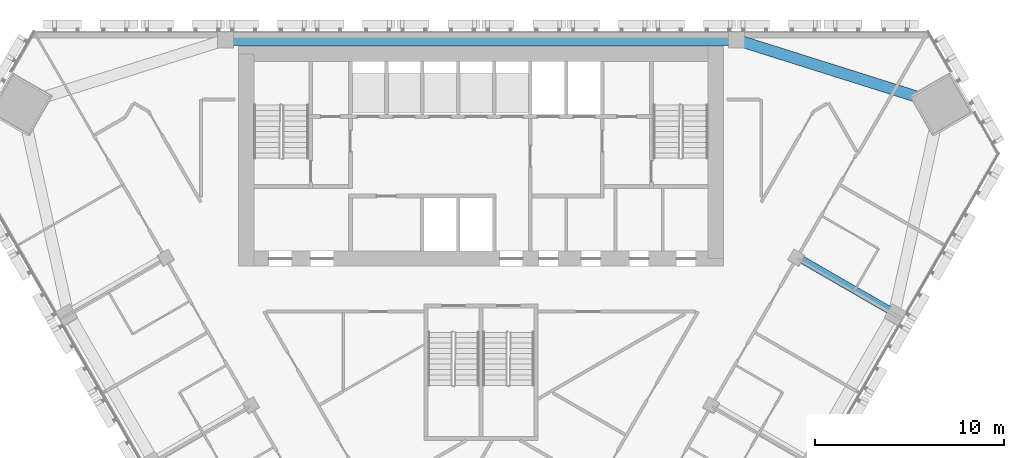
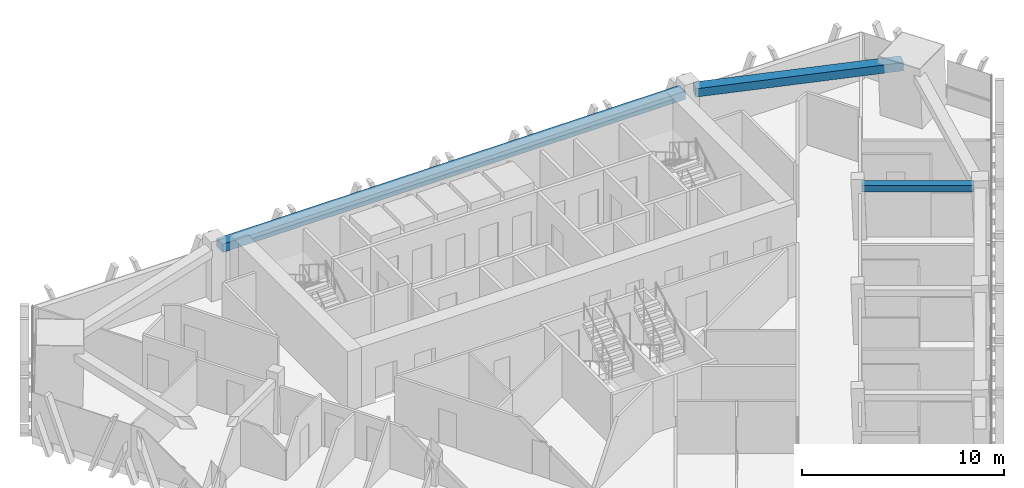
# One storey, part 6 of 16: 3 beams.
"""IFC4 building model written with IfcOpenShell, lengths in metres."""

from ifc_helpers import new_model, si_unit, direction, frame, origin, origin_2d, place, context, subcontext, project, spatial, rectangle, extrude, material, material_profile, profile_set, type_object, element, save


model = new_model("IFC4")

# Units and contexts
model_context = context("Model", 3, precision=1e-05, world=origin(), true_north=direction((0.0, 1.0)))
body_context = subcontext(model_context, "Body", "Model", "MODEL_VIEW")
ifc_project = project(units=[si_unit("LENGTHUNIT", "METRE"), si_unit("AREAUNIT", "SQUARE_METRE"), si_unit("VOLUMEUNIT", "CUBIC_METRE"), si_unit("PLANEANGLEUNIT", "RADIAN"), si_unit("MASSUNIT", "GRAM", prefix="KILO")], contexts=[model_context])

# Site, building, storey
site_placement = place(None, origin())
site = spatial("IfcSite", under=ifc_project, at=site_placement, CompositionType="ELEMENT")
building_placement = place(site_placement, origin())
building = spatial("IfcBuilding", under=site, at=building_placement, Name="Altiplano Prism Tower", CompositionType="ELEMENT")
storey_placement = place(building_placement, frame((0.0, 0.0, 145.800048828125)))
storey = spatial("IfcBuildingStorey", under=building, at=storey_placement, Name="L37", CompositionType="ELEMENT", Elevation=145.800048828125)

# Beams
ifc_material = material(Name="Concrete C60/75", Category="concrete")
ifc_material_profile_1 = material_profile(ifc_material, rectangle(XDim=0.60009765625, YDim=0.5, at=origin_2d()), Name="Edge beam 600x500")
ifc_profile_set_1 = profile_set([ifc_material_profile_1], Name="Concrete C60/75")
beam_type_1 = type_object("IfcBeamType", Name="Edge beam 600x500", PredefinedType="SPANDREL", material=ifc_profile_set_1)
beam_1_placement = place(storey_placement, frame((108.841552734375, 101.288330078125, 2.89990234375), z_axis=(-0.953688198072, 0.300796976144, 0.0), x_axis=(-0.300796976144, -0.953688198072, 0.0)))
element("IfcBeam", 1, at=beam_1_placement, inside=storey, type_object=beam_type_1, Name="Edge beam M2-P01 L38", PredefinedType="SPANDREL", context=body_context, shape_type="SweptSolid", body=[
    extrude(rectangle(XDim=0.60009765625, YDim=0.5, at=origin_2d()), origin(), (0.0, 0.0, 1.0), 10.51806640625),
])
beam_2_placement = place(storey_placement, frame((98.195068359375, 104.550048828125, 2.89990234375), z_axis=(-1.0, 0.0, 0.0), x_axis=(0.0, -1.0, 0.0)))
element("IfcBeam", 2, at=beam_2_placement, inside=storey, type_object=beam_type_1, Name="Edge beam P01-P04 L38", PredefinedType="SPANDREL", context=body_context, shape_type="SweptSolid", body=[
    extrude(rectangle(XDim=0.60009765625, YDim=0.5, at=origin_2d()), origin(), (0.0, 0.0, 1.0), 26.39013671875),
])
ifc_material_profile_2 = material_profile(ifc_material, rectangle(XDim=0.39990234375, YDim=0.39990234375, at=origin_2d()), Name="Tie beam 400x400")
ifc_profile_set_2 = profile_set([ifc_material_profile_2], Name="Concrete C60/75")
beam_type_2 = type_object("IfcBeamType", Name="Tie beam 400x400", PredefinedType="BEAM", material=ifc_profile_set_2)
beam_3_placement = place(storey_placement, frame((101.76513671875, 93.04931640625, 2.949951171875), z_axis=(0.866027073272, -0.499997108352, 0.0), x_axis=(0.499997108352, 0.866027073272, 0.0)))
element("IfcBeam", 3, at=beam_3_placement, inside=storey, type_object=beam_type_2, Name="Tie beam I24 L38", PredefinedType="BEAM", context=body_context, shape_type="SweptSolid", body=[
    extrude(rectangle(XDim=0.39990234375, YDim=0.39990234375, at=origin_2d()), origin(), (0.0, 0.0, 1.0), 5.5400390625),
])

save(model, "model.ifc")
